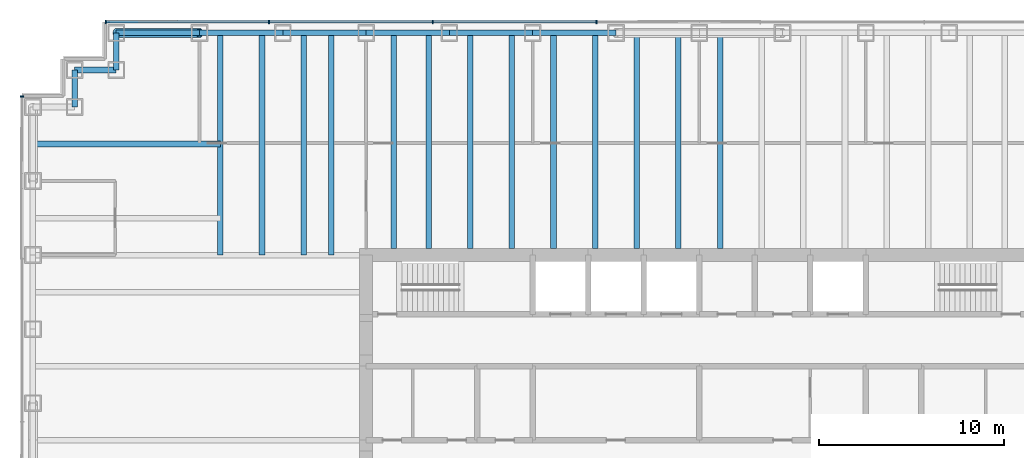
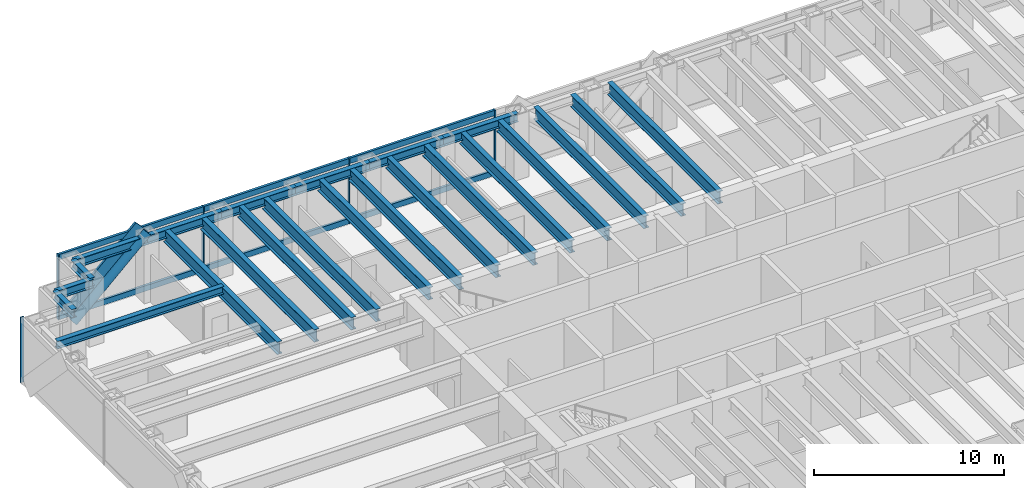
# One storey, part 6 of 15: 23 beams, 13 members, 2 elements without a shape of their own.
"""IFC4 building model written with IfcOpenShell, lengths in metres."""

from ifc_helpers import new_model, si_unit, direction, frame, origin, origin_2d, place, context, subcontext, project, spatial, rectangle, hollow_circle, i_section, extrude, material, material_profile, profile_set, type_object, element, aggregate, save


model = new_model("IFC4")

# Units and contexts
model_context = context("Model", 3, precision=1e-05, world=origin(), true_north=direction((0.0, 1.0)))
body_context = subcontext(model_context, "Body", "Model", "MODEL_VIEW")
ifc_project = project(units=[si_unit("LENGTHUNIT", "METRE"), si_unit("AREAUNIT", "SQUARE_METRE"), si_unit("VOLUMEUNIT", "CUBIC_METRE"), si_unit("PLANEANGLEUNIT", "RADIAN"), si_unit("MASSUNIT", "GRAM", prefix="KILO")], contexts=[model_context])

# Site, building, storey
site_placement = place(None, origin())
site = spatial("IfcSite", under=ifc_project, at=site_placement, CompositionType="ELEMENT")
building_placement = place(site_placement, origin())
building = spatial("IfcBuilding", under=site, at=building_placement, Name="Rheinbord Bourse Tower", CompositionType="ELEMENT")
storey_placement = place(building_placement, frame((0.0, 0.0, 275.300048828125)))
storey = spatial("IfcBuildingStorey", under=building, at=storey_placement, Name="L62", CompositionType="ELEMENT", Elevation=275.300048828125)

# Curtain wall, members
ifc_material_1 = material(Name="Dark glass and black aluminium", Category="aluminium")
curtain_wall_type = type_object("IfcCurtainWallType", Name="CW3 DARK GLASS CURTAIN WALL", PredefinedType="USERDEFINED", material=ifc_material_1)
curtain_wall_1_placement = place(storey_placement, origin())
curtain_wall_1 = element("IfcCurtainWall", 1, at=curtain_wall_1_placement, inside=storey, type_object=curtain_wall_type, Name="Curtain wall CW3 N L62", ObjectType="UNITISED CURTAIN WALL", PredefinedType="USERDEFINED")
ifc_material_2 = material(Name="Black anodised aluminium", Category="aluminium")
ifc_material_profile_1 = material_profile(ifc_material_2, rectangle(XDim=0.14990234375, YDim=1.10791015625, at=origin_2d()), Name="CW3 DIAGONAL MULLION 1108x150")
ifc_profile_set_1 = profile_set([ifc_material_profile_1], Name="Black anodised aluminium")
member_type_1 = type_object("IfcMemberType", Name="CW3 BLACK DIAGONAL MULLION", PredefinedType="USERDEFINED", material=ifc_profile_set_1)
member_1_placement = place(storey_placement, frame((4.5, 44.60009765625, 0.0), z_axis=(0.73105922506, 0.0, 0.682314010889), x_axis=(0.0, 1.0, 0.0)))
member_1 = element("IfcMember", 2, at=member_1_placement, type_object=member_type_1, Name="CW3 diagonal mullion d", ObjectType="DIAGONAL MULLION", PredefinedType="USERDEFINED", context=body_context, shape_type="SweptSolid", body=[
    extrude(rectangle(XDim=0.14990234375, YDim=1.10791015625, at=origin_2d()), origin(), (0.0, 0.0, 1.0), 6.155517578125),
])
ifc_material_3 = material(Name="Black anodised aluminium", Category="aluminium")
ifc_material_profile_2 = material_profile(ifc_material_3, rectangle(XDim=0.199951171875, YDim=0.06494140625, at=origin_2d()), Name="CW3 MULLION 65x200")
ifc_profile_set_2 = profile_set([ifc_material_profile_2], Name="Black anodised aluminium")
member_type_2 = type_object("IfcMemberType", Name="CW3 BLACK MULLION", PredefinedType="MULLION", material=ifc_profile_set_2)
member_2_placement = place(storey_placement, frame((30.449951171875, 44.60009765625, 0.0), z_axis=(0.0, 0.0, 1.0), x_axis=(0.0, -1.0, 0.0)))
member_2 = element("IfcMember", 3, at=member_2_placement, type_object=member_type_2, Name="CW3 mullion 5", PredefinedType="MULLION", context=body_context, shape_type="SweptSolid", body=[
    extrude(rectangle(XDim=0.199951171875, YDim=0.06494140625, at=origin_2d()), origin(), (0.0, 0.0, 1.0), 4.199951171875),
])
member_3_placement = place(storey_placement, frame((21.60009765625, 44.60009765625, 0.0), z_axis=(0.0, 0.0, 1.0), x_axis=(0.0, -1.0, 0.0)))
member_3 = element("IfcMember", 4, at=member_3_placement, type_object=member_type_2, Name="CW3 mullion 6", PredefinedType="MULLION", context=body_context, shape_type="SweptSolid", body=[
    extrude(rectangle(XDim=0.199951171875, YDim=0.06494140625, at=origin_2d()), origin(), (0.0, 0.0, 1.0), 4.199951171875),
])
member_4_placement = place(storey_placement, frame((12.75, 44.60009765625, 0.0), z_axis=(0.0, 0.0, 1.0), x_axis=(0.0, -1.0, 0.0)))
member_4 = element("IfcMember", 5, at=member_4_placement, type_object=member_type_2, Name="CW3 mullion 7", PredefinedType="MULLION", context=body_context, shape_type="SweptSolid", body=[
    extrude(rectangle(XDim=0.199951171875, YDim=0.06494140625, at=origin_2d()), origin(), (0.0, 0.0, 1.0), 4.199951171875),
])
member_5_placement = place(storey_placement, frame((3.9326171875, 44.60009765625, 0.0), z_axis=(0.0, 0.0, 1.0), x_axis=(0.0, -1.0, 0.0)))
member_5 = element("IfcMember", 6, at=member_5_placement, type_object=member_type_2, Name="CW3 mullion 8", PredefinedType="MULLION", context=body_context, shape_type="SweptSolid", body=[
    extrude(rectangle(XDim=0.199951171875, YDim=0.06494140625, at=origin_2d()), origin(), (0.0, 0.0, 1.0), 4.199951171875),
])

# Curtain wall, member
curtain_wall_2_placement = place(storey_placement, origin())
curtain_wall_2 = element("IfcCurtainWall", 7, at=curtain_wall_2_placement, inside=storey, type_object=curtain_wall_type, Name="Curtain wall CW3 W L62", ObjectType="UNITISED CURTAIN WALL", PredefinedType="USERDEFINED")
member_6_placement = place(storey_placement, frame((-0.60009765625, 40.5673828125, 0.0), z_axis=(0.0, 0.0, 1.0), x_axis=(1.0, 0.0, 0.0)))
member_6 = element("IfcMember", 8, at=member_6_placement, type_object=member_type_2, Name="CW3 mullion 1", PredefinedType="MULLION", context=body_context, shape_type="SweptSolid", body=[
    extrude(rectangle(XDim=0.199951171875, YDim=0.06494140625, at=origin_2d()), origin(), (0.0, 0.0, 1.0), 4.199951171875),
])
aggregate(curtain_wall_2, [member_6])

# Member
ifc_material_4 = material(Name="Black anodised aluminium", Category="aluminium")
ifc_material_profile_3 = material_profile(ifc_material_4, rectangle(XDim=0.14990234375, YDim=0.35009765625, at=origin_2d()), Name="CW3 TRANSOM 350x150")
ifc_profile_set_3 = profile_set([ifc_material_profile_3], Name="Black anodised aluminium")
member_type_3 = type_object("IfcMemberType", Name="CW3 BLACK TRANSOM", PredefinedType="USERDEFINED", material=ifc_profile_set_3)
member_7_placement = place(storey_placement, frame((30.41748046875, 44.60009765625, 0.175048828125), z_axis=(-1.0, 0.0, 0.0), x_axis=(0.0, -1.0, 0.0)))
member_7 = element("IfcMember", 9, at=member_7_placement, type_object=member_type_3, Name="CW3 transom 5.1", ObjectType="TRANSOM", PredefinedType="USERDEFINED", context=body_context, shape_type="SweptSolid", body=[
    extrude(rectangle(XDim=0.14990234375, YDim=0.35009765625, at=origin_2d()), origin(), (0.0, 0.0, 1.0), 8.784912109375),
])

member_8_placement = place(storey_placement, frame((30.41748046875, 44.60009765625, 4.02490234375), z_axis=(-1.0, 0.0, 0.0), x_axis=(0.0, -1.0, 0.0)))
member_8 = element("IfcMember", 10, at=member_8_placement, type_object=member_type_3, Name="CW3 transom 5.2", ObjectType="TRANSOM", PredefinedType="USERDEFINED", context=body_context, shape_type="SweptSolid", body=[
    extrude(rectangle(XDim=0.14990234375, YDim=0.35009765625, at=origin_2d()), origin(), (0.0, 0.0, 1.0), 8.784912109375),
])

member_9_placement = place(storey_placement, frame((21.5673828125, 44.60009765625, 0.175048828125), z_axis=(-1.0, 0.0, 0.0), x_axis=(0.0, -1.0, 0.0)))
member_9 = element("IfcMember", 11, at=member_9_placement, type_object=member_type_3, Name="CW3 transom 6.1", ObjectType="TRANSOM", PredefinedType="USERDEFINED", context=body_context, shape_type="SweptSolid", body=[
    extrude(rectangle(XDim=0.14990234375, YDim=0.35009765625, at=origin_2d()), origin(), (0.0, 0.0, 1.0), 8.784912109375),
])

member_10_placement = place(storey_placement, frame((21.5673828125, 44.60009765625, 4.02490234375), z_axis=(-1.0, 0.0, 0.0), x_axis=(0.0, -1.0, 0.0)))
member_10 = element("IfcMember", 12, at=member_10_placement, type_object=member_type_3, Name="CW3 transom 6.2", ObjectType="TRANSOM", PredefinedType="USERDEFINED", context=body_context, shape_type="SweptSolid", body=[
    extrude(rectangle(XDim=0.14990234375, YDim=0.35009765625, at=origin_2d()), origin(), (0.0, 0.0, 1.0), 8.784912109375),
])

member_11_placement = place(storey_placement, frame((12.717529296875, 44.60009765625, 0.175048828125), z_axis=(-1.0, 0.0, 0.0), x_axis=(0.0, -1.0, 0.0)))
member_11 = element("IfcMember", 13, at=member_11_placement, type_object=member_type_3, Name="CW3 transom 7.1", ObjectType="TRANSOM", PredefinedType="USERDEFINED", context=body_context, shape_type="SweptSolid", body=[
    extrude(rectangle(XDim=0.14990234375, YDim=0.35009765625, at=origin_2d()), origin(), (0.0, 0.0, 1.0), 8.75244140625),
])

member_12_placement = place(storey_placement, frame((12.717529296875, 44.60009765625, 4.02490234375), z_axis=(-1.0, 0.0, 0.0), x_axis=(0.0, -1.0, 0.0)))
member_12 = element("IfcMember", 14, at=member_12_placement, type_object=member_type_3, Name="CW3 transom 7.2", ObjectType="TRANSOM", PredefinedType="USERDEFINED", context=body_context, shape_type="SweptSolid", body=[
    extrude(rectangle(XDim=0.14990234375, YDim=0.35009765625, at=origin_2d()), origin(), (0.0, 0.0, 1.0), 8.75244140625),
])

aggregate(curtain_wall_1, [member_2, member_3, member_4, member_5, member_7, member_8, member_9, member_10, member_11, member_12, member_1])

# Beams
ifc_material_5 = material(Name="Steel S460", Category="steel")
ifc_material_profile_4 = material_profile(ifc_material_5, i_section(OverallWidth=0.300048828125, OverallDepth=0.800048828125, WebThickness=0.017578125, FlangeThickness=0.032958984375, at=origin_2d()), Name="HEB 800")
ifc_profile_set_4 = profile_set([ifc_material_profile_4], Name="Steel S460")
beam_type_1 = type_object("IfcBeamType", Name="FLOOR BEAM HEB 800", PredefinedType="BEAM", material=ifc_profile_set_4)
for number, where, z_axis, x_axis, name in (
    (15, (10.125, 44.0, 3.639892578125), (0.0, -1.0, 0.0), (1.0, 0.0, 0.0), "Floor beam N-9a L63"),
    (16, (12.375, 44.0, 3.639892578125), (0.0, -1.0, 0.0), (1.0, 0.0, 0.0), "Floor beam N-9b L63"),
    (17, (14.625, 44.0, 3.639892578125), (0.0, -1.0, 0.0), (1.0, 0.0, 0.0), "Floor beam N-13.5a L63"),
    (18, (16.125, 44.0, 3.639892578125), (0.0, -1.0, 0.0), (1.0, 0.0, 0.0), "Floor beam N-13.5b L63"),
):
    element("IfcBeam", number, at=place(storey_placement, frame(where, z_axis=z_axis, x_axis=x_axis)), inside=storey, type_object=beam_type_1, Name=name, PredefinedType="BEAM", context=body_context, shape_type="SweptSolid", body=[
        extrude(i_section(OverallWidth=0.300048828125, OverallDepth=0.800048828125, WebThickness=0.017578125, FlangeThickness=0.032958984375, at=origin_2d()), origin(), (0.0, 0.0, 1.0), 12.0),
    ])
for number, where, z_axis, x_axis, name in (
    (19, (19.5, 44.0, 3.639892578125), (0.0, -1.0, 0.0), (1.0, 0.0, 0.0), "Floor beam N-18a L63"),
    (20, (21.375, 44.0, 3.639892578125), (0.0, -1.0, 0.0), (1.0, 0.0, 0.0), "Floor beam N-18b L63"),
    (21, (23.625, 44.0, 3.639892578125), (0.0, -1.0, 0.0), (1.0, 0.0, 0.0), "Floor beam N-22.5a L63"),
    (22, (25.875, 44.0, 3.639892578125), (0.0, -1.0, 0.0), (1.0, 0.0, 0.0), "Floor beam N-22.5b L63"),
    (23, (28.125, 44.0, 3.639892578125), (0.0, -1.0, 0.0), (1.0, 0.0, 0.0), "Floor beam N-27a L63"),
    (24, (30.375, 44.0, 3.639892578125), (0.0, -1.0, 0.0), (1.0, 0.0, 0.0), "Floor beam N-27b L63"),
    (25, (32.625, 44.0, 3.639892578125), (0.0, -1.0, 0.0), (1.0, 0.0, 0.0), "Floor beam N-31.5a L63"),
    (26, (34.875, 44.0, 3.639892578125), (0.0, -1.0, 0.0), (1.0, 0.0, 0.0), "Floor beam N-31.5b L63"),
    (27, (37.125, 44.0, 3.639892578125), (0.0, -1.0, 0.0), (1.0, 0.0, 0.0), "Floor beam N-36a L63"),
):
    element("IfcBeam", number, at=place(storey_placement, frame(where, z_axis=z_axis, x_axis=x_axis)), inside=storey, type_object=beam_type_1, Name=name, PredefinedType="BEAM", context=body_context, shape_type="SweptSolid", body=[
        extrude(i_section(OverallWidth=0.300048828125, OverallDepth=0.800048828125, WebThickness=0.017578125, FlangeThickness=0.032958984375, at=origin_2d()), origin(), (0.0, 0.0, 1.0), 11.64990234375),
    ])

# Member
ifc_material_6 = material(Name="Steel S460", Category="steel")
ifc_material_profile_5 = material_profile(ifc_material_6, hollow_circle(Radius=0.25390625, WallThickness=0.030029296875, at=origin_2d()), Name="CHS 508x30")
ifc_profile_set_5 = profile_set([ifc_material_profile_5], Name="Steel S460")
member_type_4 = type_object("IfcMemberType", Name="MEGABRACE CHS 508x30", PredefinedType="BRACE", material=ifc_profile_set_5)
member_13_placement = place(storey_placement, frame((4.5, 44.0, 0.0), z_axis=(0.73105922506, 0.0, 0.682314010889), x_axis=(0.0, 1.0, 0.0)))
element("IfcMember", 28, at=member_13_placement, inside=storey, type_object=member_type_4, Name="Megabrace N face line d L62", PredefinedType="BRACE", context=body_context, shape_type="SweptSolid", body=[
    extrude(hollow_circle(Radius=0.25390625, WallThickness=0.030029296875, at=origin_2d()), origin(), (0.0, 0.0, 1.0), 6.155517578125),
])

# Beams
ifc_material_7 = material(Name="Steel S460", Category="steel")
ifc_material_profile_6 = material_profile(ifc_material_7, i_section(OverallWidth=0.300048828125, OverallDepth=0.550048828125, WebThickness=0.014892578125, FlangeThickness=0.029052734375, at=origin_2d()), Name="HEB 550")
ifc_profile_set_6 = profile_set([ifc_material_profile_6], Name="Steel S460")
beam_type_2 = type_object("IfcBeamType", Name="SPANDREL HEB 550", PredefinedType="SPANDREL", material=ifc_profile_set_6)
for number, where, z_axis, x_axis, name in (
    (29, (31.5, 44.0, 3.764892578125), (-1.0, 0.0, 0.0), (0.0, -1.0, 0.0), "Spandrel N-31.5-N-27 under L63"),
    (30, (27.0, 44.0, 3.764892578125), (-1.0, 0.0, 0.0), (0.0, -1.0, 0.0), "Spandrel N-27-N-22.5 under L63"),
    (31, (22.5, 44.0, 3.764892578125), (-1.0, 0.0, 0.0), (0.0, -1.0, 0.0), "Spandrel N-22.5-N-18 under L63"),
    (32, (18.0, 44.0, 3.764892578125), (-1.0, 0.0, 0.0), (0.0, -1.0, 0.0), "Spandrel N-18-N-13.5 under L63"),
    (33, (13.5, 44.0, 3.764892578125), (-1.0, 0.0, 0.0), (0.0, -1.0, 0.0), "Spandrel N-13.5-N-9 under L63"),
    (34, (9.0, 44.0, 3.764892578125), (-1.0, 0.0, 0.0), (0.0, -1.0, 0.0), "Spandrel N-9-NW-E under L63"),
):
    element("IfcBeam", number, at=place(storey_placement, frame(where, z_axis=z_axis, x_axis=x_axis)), inside=storey, type_object=beam_type_2, Name=name, PredefinedType="SPANDREL", context=body_context, shape_type="SweptSolid", body=[
        extrude(i_section(OverallWidth=0.300048828125, OverallDepth=0.550048828125, WebThickness=0.014892578125, FlangeThickness=0.029052734375, at=origin_2d()), origin(), (0.0, 0.0, 1.0), 4.5),
    ])
beam_1_placement = place(storey_placement, frame((4.5, 44.0, 3.764892578125), z_axis=(0.0, -1.0, 0.0), x_axis=(1.0, 0.0, 0.0)))
element("IfcBeam", 35, at=beam_1_placement, inside=storey, type_object=beam_type_2, Name="Spandrel NW-E-NW-D under L63", PredefinedType="SPANDREL", context=body_context, shape_type="SweptSolid", body=[
    extrude(i_section(OverallWidth=0.300048828125, OverallDepth=0.550048828125, WebThickness=0.014892578125, FlangeThickness=0.029052734375, at=origin_2d()), origin(), (0.0, 0.0, 1.0), 2.0),
])
beam_2_placement = place(storey_placement, frame((4.5, 42.0, 3.764892578125), z_axis=(-1.0, 0.0, 0.0), x_axis=(0.0, -1.0, 0.0)))
element("IfcBeam", 36, at=beam_2_placement, inside=storey, type_object=beam_type_2, Name="Spandrel NW-D-NW-C under L63", PredefinedType="SPANDREL", context=body_context, shape_type="SweptSolid", body=[
    extrude(i_section(OverallWidth=0.300048828125, OverallDepth=0.550048828125, WebThickness=0.014892578125, FlangeThickness=0.029052734375, at=origin_2d()), origin(), (0.0, 0.0, 1.0), 2.25),
])
beam_3_placement = place(storey_placement, frame((2.25, 42.0, 3.764892578125), z_axis=(0.0, -1.0, 0.0), x_axis=(1.0, 0.0, 0.0)))
element("IfcBeam", 37, at=beam_3_placement, inside=storey, type_object=beam_type_2, Name="Spandrel NW-C-NW-B under L63", PredefinedType="SPANDREL", context=body_context, shape_type="SweptSolid", body=[
    extrude(i_section(OverallWidth=0.300048828125, OverallDepth=0.550048828125, WebThickness=0.014892578125, FlangeThickness=0.029052734375, at=origin_2d()), origin(), (0.0, 0.0, 1.0), 2.0),
])
ifc_material_8 = material(Name="Steel S460", Category="steel")
ifc_material_profile_7 = material_profile(ifc_material_8, i_section(OverallWidth=0.300048828125, OverallDepth=0.5, WebThickness=0.014404296875, FlangeThickness=0.028076171875, at=origin_2d()), Name="HEB 500")
ifc_profile_set_7 = profile_set([ifc_material_profile_7], Name="Steel S460")
beam_type_3 = type_object("IfcBeamType", Name="TIE BEAM HEB 500", PredefinedType="JOIST", material=ifc_profile_set_7)
beam_4_placement = place(storey_placement, frame((0.0, 38.0, 3.7900390625), z_axis=(1.0, 0.0, 0.0), x_axis=(0.0, 1.0, 0.0)))
element("IfcBeam", 38, at=beam_4_placement, inside=storey, type_object=beam_type_3, Name="Tie west 38 L63", PredefinedType="JOIST", context=body_context, shape_type="SweptSolid", body=[
    extrude(i_section(OverallWidth=0.300048828125, OverallDepth=0.5, WebThickness=0.014404296875, FlangeThickness=0.028076171875, at=origin_2d()), origin(), (0.0, 0.0, 1.0), 10.125),
])

save(model, "model.ifc")
